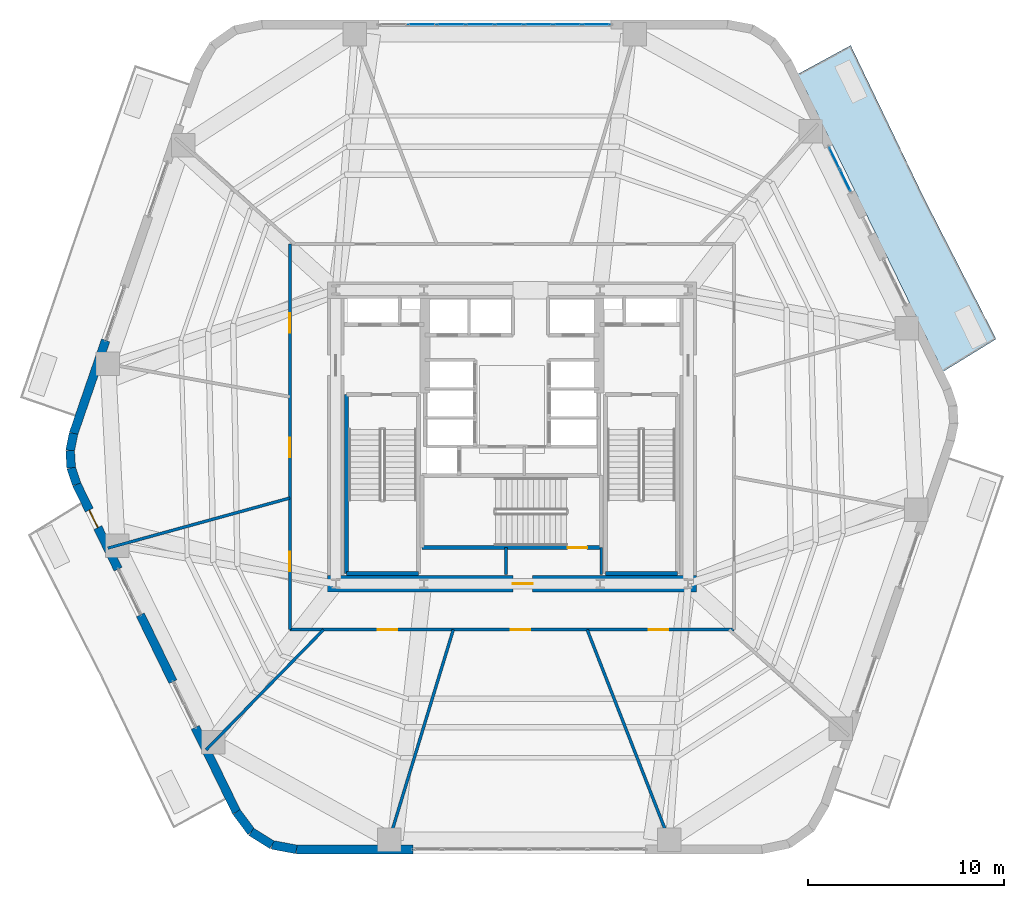
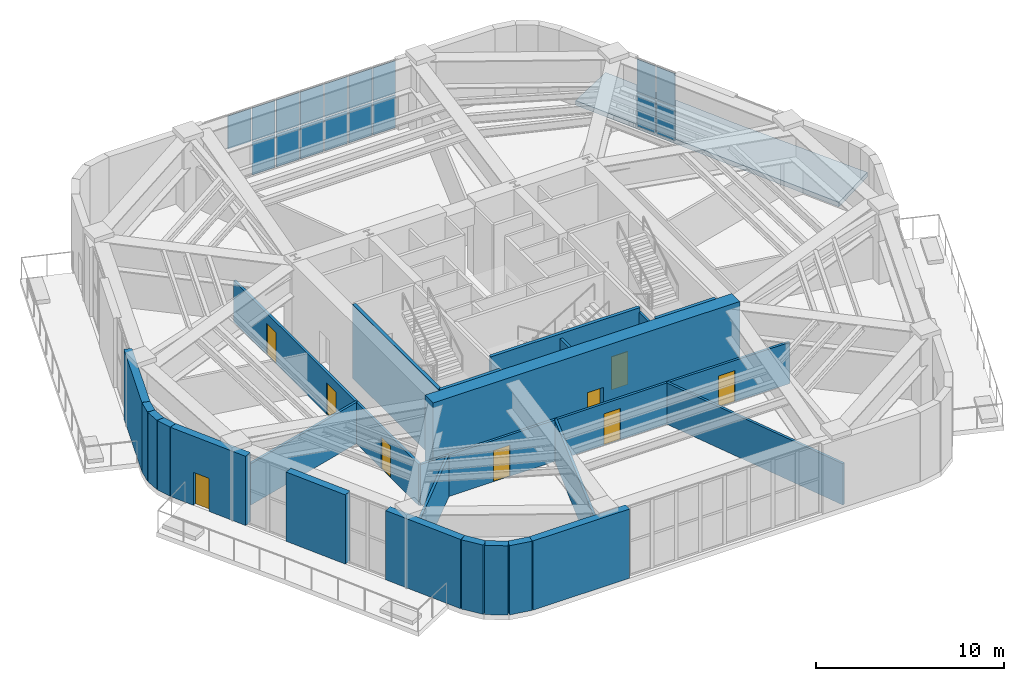
# One storey, part 16 of 22: 24 walls, 17 plates, 9 doors, 1 slab, 9 openings, 2 elements without a shape of their own.
"""IFC4 building model written with IfcOpenShell, lengths in metres."""

from ifc_helpers import new_model, si_unit, direction, frame, frame_2d, origin, origin_2d, place, context, subcontext, project, spatial, polyline, rectangle, outline, extrude, material, layer, layer_set, type_object, element, fill, aggregate, save


model = new_model("IFC4")

# Units and contexts
model_context = context("Model", 3, precision=1e-05, world=origin(), true_north=direction((0.0, 1.0)))
body_context = subcontext(model_context, "Body", "Model", "MODEL_VIEW")
ifc_project = project(units=[si_unit("LENGTHUNIT", "METRE"), si_unit("AREAUNIT", "SQUARE_METRE"), si_unit("VOLUMEUNIT", "CUBIC_METRE"), si_unit("PLANEANGLEUNIT", "RADIAN"), si_unit("MASSUNIT", "GRAM", prefix="KILO")], contexts=[model_context])

# Site, building, storey
site_placement = place(None, origin())
site = spatial("IfcSite", under=ifc_project, at=site_placement, CompositionType="ELEMENT")
building_placement = place(site_placement, origin())
building = spatial("IfcBuilding", under=site, at=building_placement, Name="Kilnhurst Terrace Hotel", CompositionType="ELEMENT")
storey_placement = place(building_placement, frame((0.0, 0.0, 139.5)))
storey = spatial("IfcBuildingStorey", under=building, at=storey_placement, Name="L34", CompositionType="ELEMENT", Elevation=139.5)

# Curtain wall, plates
ifc_material_1 = material(Name="Anodized Aluminium Alloy 6063-T6 and Low-E Glass", Category="aluminium")
ifc_layer_1 = layer(ifc_material_1, 0.219970703125, Name="Anodized Aluminium Alloy 6063-T6 and Low-E Glass")
ifc_layer_set_1 = layer_set([ifc_layer_1], Name="Anodized Aluminium Alloy 6063-T6 and Low-E Glass")
curtain_wall_type = type_object("IfcCurtainWallType", Name="CW-SKY-L34", PredefinedType="NOTDEFINED", material=ifc_layer_set_1)
curtain_wall_1_placement = place(storey_placement, origin())
curtain_wall_1 = element("IfcCurtainWall", 1, at=curtain_wall_1_placement, inside=storey, type_object=curtain_wall_type, Name="L34 Curtain Wall CW-L34-F3-2", PredefinedType="NOTDEFINED")
ifc_material_2 = material(Name="Triple Laminated Low-E Hurricane Insulated Glass", Category="glass")
ifc_layer_2 = layer(ifc_material_2, 0.035888671875, Name="Triple Laminated Low-E Hurricane Insulated Glass")
ifc_layer_set_2 = layer_set([ifc_layer_2], Name="Triple Laminated Low-E Hurricane Insulated Glass")
plate_type = type_object("IfcPlateType", Name="PNL-GLZ-36", PredefinedType="CURTAIN_PANEL", material=ifc_layer_set_2)
plate_1_placement = place(storey_placement, frame((17.029296875, 13.104736328125, 0.070068359375), z_axis=(0.0, 0.0, 1.0), x_axis=(-0.438362916395, 0.898798060484, 0.0)))
plate_1 = element("IfcPlate", 2, at=plate_1_placement, type_object=plate_type, Name="CWS-3 panel 1.1", PredefinedType="CURTAIN_PANEL", context=body_context, shape_type="SweptSolid", body=[
    extrude(rectangle(XDim=1.185546875, YDim=0.035888671875, at=origin_2d()), origin(), (0.0, 0.0, 1.0), 2.14501953125),
])
plate_2_placement = place(storey_placement, frame((17.029296875, 13.104736328125, 2.284912109375), z_axis=(0.0, 0.0, 1.0), x_axis=(-0.438362916395, 0.898798060484, 0.0)))
plate_2 = element("IfcPlate", 3, at=plate_2_placement, type_object=plate_type, Name="CWS-3 panel 1.2", PredefinedType="CURTAIN_PANEL", context=body_context, shape_type="SweptSolid", body=[
    extrude(rectangle(XDim=1.185546875, YDim=0.035888671875, at=origin_2d()), origin(), (0.0, 0.0, 1.0), 2.14501953125),
])
plate_3_placement = place(storey_placement, frame((16.476806640625, 14.237548828125, 0.070068359375), z_axis=(0.0, 0.0, 1.0), x_axis=(-0.438362916395, 0.898798060484, 0.0)))
plate_3 = element("IfcPlate", 4, at=plate_3_placement, type_object=plate_type, Name="CWS-3 panel 2.1", PredefinedType="CURTAIN_PANEL", context=body_context, shape_type="SweptSolid", body=[
    extrude(rectangle(XDim=1.185546875, YDim=0.035888671875, at=origin_2d()), origin(), (0.0, 0.0, 1.0), 2.14501953125),
])
plate_4_placement = place(storey_placement, frame((16.476806640625, 14.237548828125, 2.284912109375), z_axis=(0.0, 0.0, 1.0), x_axis=(-0.438362916395, 0.898798060484, 0.0)))
plate_4 = element("IfcPlate", 5, at=plate_4_placement, type_object=plate_type, Name="CWS-3 panel 2.2", PredefinedType="CURTAIN_PANEL", context=body_context, shape_type="SweptSolid", body=[
    extrude(rectangle(XDim=1.185546875, YDim=0.035888671875, at=origin_2d()), origin(), (0.0, 0.0, 1.0), 2.14501953125),
])
aggregate(curtain_wall_1, [plate_1, plate_2, plate_3, plate_4])

curtain_wall_2_placement = place(storey_placement, origin())
curtain_wall_2 = element("IfcCurtainWall", 6, at=curtain_wall_2_placement, inside=storey, type_object=curtain_wall_type, Name="L34 Curtain Wall CW-L34-F4-1", PredefinedType="NOTDEFINED")
plate_5_placement = place(storey_placement, frame((4.303955078125, 21.074951171875, 0.070068359375), z_axis=(0.0, 0.0, 1.0), x_axis=(-1.0, 0.0, 0.0)))
plate_5 = element("IfcPlate", 7, at=plate_5_placement, type_object=plate_type, Name="CWS-3 panel 1.1", PredefinedType="CURTAIN_PANEL", context=body_context, shape_type="SweptSolid", body=[
    extrude(rectangle(XDim=1.373779296875, YDim=0.035888671875, at=origin_2d()), origin(), (0.0, 0.0, 1.0), 2.14501953125),
])
plate_6_placement = place(storey_placement, frame((4.303955078125, 21.074951171875, 2.284912109375), z_axis=(0.0, 0.0, 1.0), x_axis=(-1.0, 0.0, 0.0)))
plate_6 = element("IfcPlate", 8, at=plate_6_placement, type_object=plate_type, Name="CWS-3 panel 1.2", PredefinedType="CURTAIN_PANEL", context=body_context, shape_type="SweptSolid", body=[
    extrude(rectangle(XDim=1.373779296875, YDim=0.035888671875, at=origin_2d()), origin(), (0.0, 0.0, 1.0), 2.14501953125),
])
plate_7_placement = place(storey_placement, frame((2.83642578125, 21.074951171875, 0.070068359375), z_axis=(0.0, 0.0, 1.0), x_axis=(-1.0, 0.0, 0.0)))
plate_7 = element("IfcPlate", 9, at=plate_7_placement, type_object=plate_type, Name="CWS-3 panel 2.1", PredefinedType="CURTAIN_PANEL", context=body_context, shape_type="SweptSolid", body=[
    extrude(rectangle(XDim=1.411376953125, YDim=0.035888671875, at=origin_2d()), origin(), (0.0, 0.0, 1.0), 2.14501953125),
])
plate_8_placement = place(storey_placement, frame((2.83642578125, 21.074951171875, 2.284912109375), z_axis=(0.0, 0.0, 1.0), x_axis=(-1.0, 0.0, 0.0)))
plate_8 = element("IfcPlate", 10, at=plate_8_placement, type_object=plate_type, Name="CWS-3 panel 2.2", PredefinedType="CURTAIN_PANEL", context=body_context, shape_type="SweptSolid", body=[
    extrude(rectangle(XDim=1.411376953125, YDim=0.035888671875, at=origin_2d()), origin(), (0.0, 0.0, 1.0), 2.14501953125),
])
plate_9_placement = place(storey_placement, frame((1.35009765625, 21.074951171875, 0.070068359375), z_axis=(0.0, 0.0, 1.0), x_axis=(-1.0, 0.0, 0.0)))
plate_9 = element("IfcPlate", 11, at=plate_9_placement, type_object=plate_type, Name="CWS-3 panel 3.1", PredefinedType="CURTAIN_PANEL", context=body_context, shape_type="SweptSolid", body=[
    extrude(rectangle(XDim=1.411376953125, YDim=0.035888671875, at=origin_2d()), origin(), (0.0, 0.0, 1.0), 2.14501953125),
])
plate_10_placement = place(storey_placement, frame((1.35009765625, 21.074951171875, 2.284912109375), z_axis=(0.0, 0.0, 1.0), x_axis=(-1.0, 0.0, 0.0)))
plate_10 = element("IfcPlate", 12, at=plate_10_placement, type_object=plate_type, Name="CWS-3 panel 3.2", PredefinedType="CURTAIN_PANEL", context=body_context, shape_type="SweptSolid", body=[
    extrude(rectangle(XDim=1.411376953125, YDim=0.035888671875, at=origin_2d()), origin(), (0.0, 0.0, 1.0), 2.14501953125),
])
plate_11_placement = place(storey_placement, frame((-0.13623046875, 21.074951171875, 0.070068359375), z_axis=(0.0, 0.0, 1.0), x_axis=(-1.0, 0.0, 0.0)))
plate_11 = element("IfcPlate", 13, at=plate_11_placement, type_object=plate_type, Name="CWS-3 panel 4.1", PredefinedType="CURTAIN_PANEL", context=body_context, shape_type="SweptSolid", body=[
    extrude(rectangle(XDim=1.411376953125, YDim=0.035888671875, at=origin_2d()), origin(), (0.0, 0.0, 1.0), 2.14501953125),
])
plate_12_placement = place(storey_placement, frame((-0.13623046875, 21.074951171875, 2.284912109375), z_axis=(0.0, 0.0, 1.0), x_axis=(-1.0, 0.0, 0.0)))
plate_12 = element("IfcPlate", 14, at=plate_12_placement, type_object=plate_type, Name="CWS-3 panel 4.2", PredefinedType="CURTAIN_PANEL", context=body_context, shape_type="SweptSolid", body=[
    extrude(rectangle(XDim=1.411376953125, YDim=0.035888671875, at=origin_2d()), origin(), (0.0, 0.0, 1.0), 2.14501953125),
])
plate_13_placement = place(storey_placement, frame((-1.622802734375, 21.074951171875, 0.070068359375), z_axis=(0.0, 0.0, 1.0), x_axis=(-1.0, 0.0, 0.0)))
plate_13 = element("IfcPlate", 15, at=plate_13_placement, type_object=plate_type, Name="CWS-3 panel 5.1", PredefinedType="CURTAIN_PANEL", context=body_context, shape_type="SweptSolid", body=[
    extrude(rectangle(XDim=1.411376953125, YDim=0.035888671875, at=origin_2d()), origin(), (0.0, 0.0, 1.0), 2.14501953125),
])
plate_14_placement = place(storey_placement, frame((-1.622802734375, 21.074951171875, 2.284912109375), z_axis=(0.0, 0.0, 1.0), x_axis=(-1.0, 0.0, 0.0)))
plate_14 = element("IfcPlate", 16, at=plate_14_placement, type_object=plate_type, Name="CWS-3 panel 5.2", PredefinedType="CURTAIN_PANEL", context=body_context, shape_type="SweptSolid", body=[
    extrude(rectangle(XDim=1.411376953125, YDim=0.035888671875, at=origin_2d()), origin(), (0.0, 0.0, 1.0), 2.14501953125),
])
plate_15_placement = place(storey_placement, frame((-3.109130859375, 21.074951171875, 0.070068359375), z_axis=(0.0, 0.0, 1.0), x_axis=(-1.0, 0.0, 0.0)))
plate_15 = element("IfcPlate", 17, at=plate_15_placement, type_object=plate_type, Name="CWS-3 panel 6.1", PredefinedType="CURTAIN_PANEL", context=body_context, shape_type="SweptSolid", body=[
    extrude(rectangle(XDim=1.411376953125, YDim=0.035888671875, at=origin_2d()), origin(), (0.0, 0.0, 1.0), 2.14501953125),
])
plate_16_placement = place(storey_placement, frame((-3.109130859375, 21.074951171875, 2.284912109375), z_axis=(0.0, 0.0, 1.0), x_axis=(-1.0, 0.0, 0.0)))
plate_16 = element("IfcPlate", 18, at=plate_16_placement, type_object=plate_type, Name="CWS-3 panel 6.2", PredefinedType="CURTAIN_PANEL", context=body_context, shape_type="SweptSolid", body=[
    extrude(rectangle(XDim=1.411376953125, YDim=0.035888671875, at=origin_2d()), origin(), (0.0, 0.0, 1.0), 2.14501953125),
])
plate_17_placement = place(storey_placement, frame((-4.595458984375, 21.074951171875, 2.284912109375), z_axis=(0.0, 0.0, 1.0), x_axis=(-1.0, 0.0, 0.0)))
plate_17 = element("IfcPlate", 19, at=plate_17_placement, type_object=plate_type, Name="CWS-3 panel 7.2", PredefinedType="CURTAIN_PANEL", context=body_context, shape_type="SweptSolid", body=[
    extrude(rectangle(XDim=1.411376953125, YDim=0.035888671875, at=origin_2d()), origin(), (0.0, 0.0, 1.0), 2.14501953125),
])
aggregate(curtain_wall_2, [plate_5, plate_6, plate_7, plate_8, plate_9, plate_10, plate_11, plate_12, plate_13, plate_14, plate_15, plate_16, plate_17])

# Slab
ifc_material_3 = material(Name="Concrete C50/60", Category="concrete")
ifc_layer_3 = layer(ifc_material_3, 0.300048828125, Name="Concrete C50/60")
ifc_layer_set_3 = layer_set([ifc_layer_3], Name="Concrete C50/60")
slab_type = type_object("IfcSlabType", Name="SLB-BAL-300", PredefinedType="FLOOR", material=ifc_layer_set_3)
slab_placement = place(storey_placement, frame((0.0, 0.0, -0.300048828125)))
element("IfcSlab", 20, at=slab_placement, inside=storey, type_object=slab_type, Name="L34 Cantilevered Planted Terrace Slab BAL-L1B", PredefinedType="FLOOR", context=body_context, shape_type="SweptSolid", body=[
    extrude(outline(polyline([(24.734130859375, 5.0), (22.023193359375, 3.333740234375), (14.6083984375, 18.53564453125), (17.301513671875, 20.0), (21.044921875, 12.205810546875), (24.734130859375, 5.0)])), origin(), (0.0, 0.0, 1.0), 0.300048828125),
])

# Walls
ifc_material_4 = material(Name="Precast concrete C40/50", Category="concrete")
ifc_layer_4 = layer(ifc_material_4, 0.449951171875, Name="Precast concrete C40/50")
ifc_layer_set_4 = layer_set([ifc_layer_4], Name="Precast concrete C40/50")
wall_type_1 = type_object("IfcWallType", Name="WL-BRK-450", PredefinedType="SOLIDWALL", material=ifc_layer_set_4)
wall_1_placement = place(storey_placement, frame((-14.07568359375, -19.16064453125, 0.0), z_axis=(0.0, 0.0, 1.0), x_axis=(0.597226657159, -0.802072515412, 0.0)))
element("IfcWall", 21, at=wall_1_placement, inside=storey, type_object=wall_type_1, Name="L34 Rounded Corner Brick Wall C1.1", PredefinedType="SOLIDWALL", context=body_context, shape_type="SweptSolid", body=[
    extrude(rectangle(XDim=1.269287109375, YDim=0.449951171875, at=frame_2d((0.634765625, 0.0))), origin(), (0.0, 0.0, 1.0), 4.5),
])
wall_2_placement = place(storey_placement, frame((-13.317626953125, -20.1787109375, 0.0), z_axis=(0.0, 0.0, 1.0), x_axis=(0.848031272749, -0.529946186362, 0.0)))
element("IfcWall", 22, at=wall_2_placement, inside=storey, type_object=wall_type_1, Name="L34 Rounded Corner Brick Wall C1.2", PredefinedType="SOLIDWALL", context=body_context, shape_type="SweptSolid", body=[
    extrude(rectangle(XDim=1.248046875, YDim=0.449951171875, at=frame_2d((0.6240234375, 0.0))), origin(), (0.0, 0.0, 1.0), 4.5),
])
wall_3_placement = place(storey_placement, frame((-12.25927734375, -20.840087890625, 0.0), z_axis=(0.0, 0.0, 1.0), x_axis=(0.982730354425, -0.185043374624, 0.0)))
element("IfcWall", 23, at=wall_3_placement, inside=storey, type_object=wall_type_1, Name="L34 Rounded Corner Brick Wall C1.3", PredefinedType="SOLIDWALL", context=body_context, shape_type="SweptSolid", body=[
    extrude(rectangle(XDim=1.269287109375, YDim=0.449951171875, at=frame_2d((0.634765625, 0.0))), origin(), (0.0, 0.0, 1.0), 4.5),
])
wall_4_placement = place(storey_placement, frame((-22.39697265625, 0.17919921875, 0.0), z_axis=(0.0, 0.0, 1.0), x_axis=(-0.199313589404, -0.979935759669, 0.0)))
element("IfcWall", 24, at=wall_4_placement, inside=storey, type_object=wall_type_1, Name="L34 Rounded Corner Brick Wall C6.1", PredefinedType="SOLIDWALL", context=body_context, shape_type="SweptSolid", body=[
    extrude(rectangle(XDim=0.8955078125, YDim=0.449951171875, at=frame_2d((0.44775390625, 0.0))), origin(), (0.0, 0.0, 1.0), 4.5),
])
wall_5_placement = place(storey_placement, frame((-22.575439453125, -0.6982421875, 0.0), z_axis=(0.0, 0.0, 1.0), x_axis=(0.060980441946, -0.998138961117, 0.0)))
element("IfcWall", 25, at=wall_5_placement, inside=storey, type_object=wall_type_1, Name="L34 Rounded Corner Brick Wall C6.2", PredefinedType="SOLIDWALL", context=body_context, shape_type="SweptSolid", body=[
    extrude(rectangle(XDim=0.880859375, YDim=0.449951171875, at=frame_2d((0.4404296875, 0.0))), origin(), (0.0, 0.0, 1.0), 4.5),
])
wall_6_placement = place(storey_placement, frame((-22.521728515625, -1.577392578125, 0.0), z_axis=(0.0, 0.0, 1.0), x_axis=(0.317372694837, -0.948300887151, 0.0)))
element("IfcWall", 26, at=wall_6_placement, inside=storey, type_object=wall_type_1, Name="L34 Rounded Corner Brick Wall C6.3", PredefinedType="SOLIDWALL", context=body_context, shape_type="SweptSolid", body=[
    extrude(rectangle(XDim=0.8955078125, YDim=0.449951171875, at=frame_2d((0.44775390625, 0.0))), origin(), (0.0, 0.0, 1.0), 4.5),
])
wall_7_placement = place(storey_placement, frame((-11.011962890625, -21.074951171875, 0.0), z_axis=(0.0, 0.0, 1.0), x_axis=(1.0, 0.0, 0.0)))
element("IfcWall", 27, at=wall_7_placement, inside=storey, type_object=wall_type_1, Name="L34 Face 1 Brick Pier 1", PredefinedType="SOLIDWALL", context=body_context, shape_type="SweptSolid", body=[
    extrude(rectangle(XDim=5.946044921875, YDim=0.449951171875, at=frame_2d((2.97314453125, 0.0))), origin(), (0.0, 0.0, 1.0), 4.5),
])
wall_8_placement = place(storey_placement, frame((-20.760009765625, 4.932861328125, 0.0), z_axis=(0.0, 0.0, 1.0), x_axis=(-0.325594073587, -0.94550965053, 0.0)))
element("IfcWall", 28, at=wall_8_placement, inside=storey, type_object=wall_type_1, Name="L34 Face 5 End Brick Pier", PredefinedType="SOLIDWALL", context=body_context, shape_type="SweptSolid", body=[
    extrude(rectangle(XDim=5.027587890625, YDim=0.449951171875, at=frame_2d((2.513671875, 0.0))), origin(), (0.0, 0.0, 1.0), 4.5),
])

# Wall, opening, door
wall_9_placement = place(storey_placement, frame((-22.237548828125, -2.426513671875, 0.0), z_axis=(0.0, 0.0, 1.0), x_axis=(0.438370693728, -0.898794267272, 0.0)))
wall_9 = element("IfcWall", 29, at=wall_9_placement, inside=storey, type_object=wall_type_1, Name="L34 Face 6 Brick Pier 1", PredefinedType="SOLIDWALL", context=body_context, shape_type="SweptSolid", body=[
    extrude(rectangle(XDim=4.815673828125, YDim=0.449951171875, at=frame_2d((2.40771484375, 0.0))), origin(), (0.0, 0.0, 1.0), 4.5),
])
opening_1_placement = place(wall_9_placement, frame((1.4580078125, 0.0, 0.0)))
opening_1 = element("IfcOpeningElement", 30, at=opening_1_placement, cuts=wall_9, Name="Opening BD-1000", PredefinedType="OPENING", context=body_context, shape_type="SweptSolid", body=[
    extrude(rectangle(XDim=1.0, YDim=2.14990234375, at=frame_2d((0.5, 1.074951171875))), frame((0.0, 0.23486328125, 0.0), z_axis=(0.0, -1.0, 0.0), x_axis=(1.0, 0.0, 0.0)), (0.0, 0.0, 1.0), 0.469970703125),
])
ifc_material_5 = material(Name="Thermally Broken Bronze Aluminium Alloy 6063-T6 and Laminated Glass", Category="aluminium")
door_type_1 = type_object("IfcDoorType", Name="DR-EXT-BAL-1000", OperationType="NOTDEFINED", PredefinedType="DOOR", material=ifc_material_5)
door_1_placement = place(opening_1_placement, origin())
door_1 = element("IfcDoor", 31, at=door_1_placement, inside=storey, type_object=door_type_1, Name="L34 Terrace Access Door BAL-L2B", OperationType="SINGLE_SWING_LEFT", OverallHeight=2.14990234375, OverallWidth=1.0, PredefinedType="DOOR", context=body_context, shape_type="SweptSolid", body=[
    extrude(rectangle(XDim=1.0, YDim=2.14990234375, at=frame_2d((0.5, 1.074951171875))), frame((0.0, 0.02490234375, 0.0), z_axis=(0.0, -1.0, 0.0), x_axis=(1.0, 0.0, 0.0)), (0.0, 0.0, 1.0), 0.050048828125),
])
fill(opening_1, door_1)

# Walls
wall_10_placement = place(storey_placement, frame((-18.98828125, -9.088134765625, 0.0), z_axis=(0.0, 0.0, 1.0), x_axis=(0.43837933929, -0.898790050503, 0.0)))
element("IfcWall", 32, at=wall_10_placement, inside=storey, type_object=wall_type_1, Name="L34 Face 6 Brick Pier 2", PredefinedType="SOLIDWALL", context=body_context, shape_type="SweptSolid", body=[
    extrude(rectangle(XDim=3.801025390625, YDim=0.449951171875, at=frame_2d((1.900390625, 0.0))), origin(), (0.0, 0.0, 1.0), 4.5),
])
wall_11_placement = place(storey_placement, frame((-16.18408203125, -14.837890625, 0.0), z_axis=(0.0, 0.0, 1.0), x_axis=(0.43837962648, -0.898789910428, 0.0)))
element("IfcWall", 33, at=wall_11_placement, inside=storey, type_object=wall_type_1, Name="L34 Face 6 End Brick Pier", PredefinedType="SOLIDWALL", context=body_context, shape_type="SweptSolid", body=[
    extrude(rectangle(XDim=4.8095703125, YDim=0.449951171875, at=frame_2d((2.40478515625, 0.0))), origin(), (0.0, 0.0, 1.0), 4.5),
])

# Wall, openings, doors
ifc_material_6 = material(Name="Acoustic Double-Gypsum Corridor Partition Assembly")
ifc_layer_5 = layer(ifc_material_6, 0.14990234375, Name="Acoustic Double-Gypsum Corridor Partition Assembly")
ifc_layer_set_5 = layer_set([ifc_layer_5], Name="Acoustic Double-Gypsum Corridor Partition Assembly")
wall_type_2 = type_object("IfcWallType", Name="WL-COR-150", PredefinedType="PARTITIONING", material=ifc_layer_set_5)
wall_12_placement = place(storey_placement, frame((-11.35009765625, -9.85009765625, 0.0), z_axis=(0.0, 0.0, 1.0), x_axis=(0.0, 1.0, 0.0)))
wall_12 = element("IfcWall", 34, at=wall_12_placement, inside=storey, type_object=wall_type_2, Name="L34 Interior Wall WL-L34-COR-01", PredefinedType="PARTITIONING", context=body_context, shape_type="SweptSolid", body=[
    extrude(rectangle(XDim=19.7001953125, YDim=0.14990234375, at=frame_2d((9.85009765625, 0.0))), origin(), (0.0, 0.0, 1.0), 2.68994140625),
])
opening_2_placement = place(wall_12_placement, frame((15.179931640625, 0.0, 0.0)))
opening_2 = element("IfcOpeningElement", 35, at=opening_2_placement, cuts=wall_12, Name="Opening D-10A", PredefinedType="OPENING", context=body_context, shape_type="SweptSolid", body=[
    extrude(rectangle(XDim=1.0, YDim=2.030029296875, at=frame_2d((0.5, 1.01513671875))), frame((0.0, 0.0849609375, 0.0), z_axis=(0.0, -1.0, 0.0), x_axis=(1.0, 0.0, 0.0)), (0.0, 0.0, 1.0), 0.169921875),
])
opening_3_placement = place(wall_12_placement, frame((8.81103515625, 0.0, 0.0)))
opening_3 = element("IfcOpeningElement", 36, at=opening_3_placement, cuts=wall_12, Name="Opening D-10A", PredefinedType="OPENING", context=body_context, shape_type="SweptSolid", body=[
    extrude(rectangle(XDim=1.0, YDim=2.030029296875, at=frame_2d((0.5, 1.01513671875))), frame((0.0, 0.0849609375, 0.0), z_axis=(0.0, -1.0, 0.0), x_axis=(1.0, 0.0, 0.0)), (0.0, 0.0, 1.0), 0.169921875),
])
opening_4_placement = place(wall_12_placement, frame((2.98291015625, 0.0, 0.0)))
opening_4 = element("IfcOpeningElement", 37, at=opening_4_placement, cuts=wall_12, Name="Opening D-10A", PredefinedType="OPENING", context=body_context, shape_type="SweptSolid", body=[
    extrude(rectangle(XDim=1.0, YDim=2.030029296875, at=frame_2d((0.5, 1.01513671875))), frame((0.0, 0.0849609375, 0.0), z_axis=(0.0, -1.0, 0.0), x_axis=(1.0, 0.0, 0.0)), (0.0, 0.0, 1.0), 0.169921875),
])
ifc_material_7 = material(Name="Solid-Core American White Oak Interior Door")
door_type_2 = type_object("IfcDoorType", Name="DR-INT-1000", OperationType="NOTDEFINED", PredefinedType="DOOR", material=ifc_material_7)
door_2_placement = place(opening_2_placement, origin())
door_2 = element("IfcDoor", 38, at=door_2_placement, inside=storey, type_object=door_type_2, Name="L34 Panorama Sky Cocktail Bar West Wing Door", OperationType="SINGLE_SWING_LEFT", OverallHeight=2.030029296875, OverallWidth=1.0, PredefinedType="DOOR", context=body_context, shape_type="SweptSolid", body=[
    extrude(rectangle(XDim=1.0, YDim=2.030029296875, at=frame_2d((0.5, 1.01513671875))), frame((0.0, 0.02490234375, 0.0), z_axis=(0.0, -1.0, 0.0), x_axis=(1.0, 0.0, 0.0)), (0.0, 0.0, 1.0), 0.050048828125),
])
fill(opening_2, door_2)
door_3_placement = place(opening_3_placement, origin())
door_3 = element("IfcDoor", 39, at=door_3_placement, inside=storey, type_object=door_type_2, Name="L34 Panorama Sky Cocktail Bar Center Wing Door", OperationType="SINGLE_SWING_RIGHT", OverallHeight=2.030029296875, OverallWidth=1.0, PredefinedType="DOOR", context=body_context, shape_type="SweptSolid", body=[
    extrude(rectangle(XDim=1.0, YDim=2.030029296875, at=frame_2d((0.5, 1.01513671875))), frame((0.0, 0.02490234375, 0.0), z_axis=(0.0, -1.0, 0.0), x_axis=(1.0, 0.0, 0.0)), (0.0, 0.0, 1.0), 0.050048828125),
])
fill(opening_3, door_3)
door_4_placement = place(opening_4_placement, origin())
door_4 = element("IfcDoor", 40, at=door_4_placement, inside=storey, type_object=door_type_2, Name="L34 Sky Bar Catering Kitchen West Wing Door", OperationType="SINGLE_SWING_LEFT", OverallHeight=2.030029296875, OverallWidth=1.0, PredefinedType="DOOR", context=body_context, shape_type="SweptSolid", body=[
    extrude(rectangle(XDim=1.0, YDim=2.030029296875, at=frame_2d((0.5, 1.01513671875))), frame((0.0, 0.02490234375, 0.0), z_axis=(0.0, -1.0, 0.0), x_axis=(1.0, 0.0, 0.0)), (0.0, 0.0, 1.0), 0.050048828125),
])
fill(opening_4, door_4)

wall_13_placement = place(storey_placement, frame((11.35009765625, -9.85009765625, 0.0), z_axis=(0.0, 0.0, 1.0), x_axis=(-1.0, 0.0, 0.0)))
wall_13 = element("IfcWall", 41, at=wall_13_placement, inside=storey, type_object=wall_type_2, Name="L34 Interior Wall WL-L34-COR-04", PredefinedType="PARTITIONING", context=body_context, shape_type="SweptSolid", body=[
    extrude(rectangle(XDim=22.7001953125, YDim=0.14990234375, at=frame_2d((11.35009765625, 0.0))), origin(), (0.0, 0.0, 1.0), 2.68994140625),
])
opening_5_placement = place(wall_13_placement, frame((17.2119140625, 0.0, 0.0)))
opening_5 = element("IfcOpeningElement", 42, at=opening_5_placement, cuts=wall_13, Name="Opening D-10A", PredefinedType="OPENING", context=body_context, shape_type="SweptSolid", body=[
    extrude(rectangle(XDim=1.0, YDim=2.030029296875, at=frame_2d((0.5, 1.01513671875))), frame((0.0, 0.0849609375, 0.0), z_axis=(0.0, -1.0, 0.0), x_axis=(1.0, 0.0, 0.0)), (0.0, 0.0, 1.0), 0.169921875),
])
opening_6_placement = place(wall_13_placement, frame((10.425048828125, 0.0, 0.0)))
opening_6 = element("IfcOpeningElement", 43, at=opening_6_placement, cuts=wall_13, Name="Opening D-10A", PredefinedType="OPENING", context=body_context, shape_type="SweptSolid", body=[
    extrude(rectangle(XDim=1.0, YDim=2.030029296875, at=frame_2d((0.5, 1.01513671875))), frame((0.0, 0.0849609375, 0.0), z_axis=(0.0, -1.0, 0.0), x_axis=(1.0, 0.0, 0.0)), (0.0, 0.0, 1.0), 0.169921875),
])
opening_7_placement = place(wall_13_placement, frame((3.3740234375, 0.0, 0.0)))
opening_7 = element("IfcOpeningElement", 44, at=opening_7_placement, cuts=wall_13, Name="Opening D-10A", PredefinedType="OPENING", context=body_context, shape_type="SweptSolid", body=[
    extrude(rectangle(XDim=1.0, YDim=2.030029296875, at=frame_2d((0.5, 1.01513671875))), frame((0.0, 0.0849609375, 0.0), z_axis=(0.0, -1.0, 0.0), x_axis=(1.0, 0.0, 0.0)), (0.0, 0.0, 1.0), 0.169921875),
])
door_5_placement = place(opening_5_placement, origin())
door_5 = element("IfcDoor", 45, at=door_5_placement, inside=storey, type_object=door_type_2, Name="L34 Sky Bar Catering Kitchen Center Wing Door", OperationType="SINGLE_SWING_RIGHT", OverallHeight=2.030029296875, OverallWidth=1.0, PredefinedType="DOOR", context=body_context, shape_type="SweptSolid", body=[
    extrude(rectangle(XDim=1.0, YDim=2.030029296875, at=frame_2d((0.5, 1.01513671875))), frame((0.0, 0.02490234375, 0.0), z_axis=(0.0, -1.0, 0.0), x_axis=(1.0, 0.0, 0.0)), (0.0, 0.0, 1.0), 0.050048828125),
])
fill(opening_5, door_5)
door_6_placement = place(opening_6_placement, origin())
door_6 = element("IfcDoor", 46, at=door_6_placement, inside=storey, type_object=door_type_2, Name="L34 VIP Sky Boardroom Suite West Wing Door", OperationType="SINGLE_SWING_LEFT", OverallHeight=2.030029296875, OverallWidth=1.0, PredefinedType="DOOR", context=body_context, shape_type="SweptSolid", body=[
    extrude(rectangle(XDim=1.0, YDim=2.030029296875, at=frame_2d((0.5, 1.01513671875))), frame((0.0, 0.02490234375, 0.0), z_axis=(0.0, -1.0, 0.0), x_axis=(1.0, 0.0, 0.0)), (0.0, 0.0, 1.0), 0.050048828125),
])
fill(opening_6, door_6)
door_7_placement = place(opening_7_placement, origin())
door_7 = element("IfcDoor", 47, at=door_7_placement, inside=storey, type_object=door_type_2, Name="L34 VIP Sky Boardroom Suite Center Wing Door", OperationType="SINGLE_SWING_RIGHT", OverallHeight=2.030029296875, OverallWidth=1.0, PredefinedType="DOOR", context=body_context, shape_type="SweptSolid", body=[
    extrude(rectangle(XDim=1.0, YDim=2.030029296875, at=frame_2d((0.5, 1.01513671875))), frame((0.0, 0.02490234375, 0.0), z_axis=(0.0, -1.0, 0.0), x_axis=(1.0, 0.0, 0.0)), (0.0, 0.0, 1.0), 0.050048828125),
])
fill(opening_7, door_7)

# Wall, opening, door
ifc_material_8 = material(Name="Concrete C80/95", Category="concrete")
ifc_layer_6 = layer(ifc_material_8, 0.85009765625, Name="Concrete C80/95")
ifc_layer_set_6 = layer_set([ifc_layer_6], Name="Concrete C80/95")
wall_type_3 = type_object("IfcWallType", Name="WL-CORE-850", PredefinedType="SHEAR", material=ifc_layer_set_6)
wall_14_placement = place(storey_placement, frame((-9.425048828125, -7.5, 0.0), z_axis=(0.0, 0.0, 1.0), x_axis=(1.0, 0.0, 0.0)))
wall_14 = element("IfcWall", 48, at=wall_14_placement, inside=storey, type_object=wall_type_3, Name="L34 Core South Shear Wall", PredefinedType="SHEAR", context=body_context, shape_type="SweptSolid", body=[
    extrude(rectangle(XDim=18.85009765625, YDim=0.85009765625, at=frame_2d((9.425048828125, 0.0))), origin(), (0.0, 0.0, 1.0), 4.800048828125),
])
opening_8_placement = place(wall_14_placement, frame((9.47509765625, 0.0, 0.0)))
opening_8 = element("IfcOpeningElement", 49, at=opening_8_placement, cuts=wall_14, Name="Opening D-90B", PredefinedType="OPENING", context=body_context, shape_type="SweptSolid", body=[
    extrude(rectangle(XDim=1.0, YDim=2.14990234375, at=frame_2d((0.5, 1.074951171875))), frame((0.0, 0.43505859375, 0.0), z_axis=(0.0, -1.0, 0.0), x_axis=(1.0, 0.0, 0.0)), (0.0, 0.0, 1.0), 0.8701171875),
])
ifc_material_9 = material(Name="Painted Hollow Metal Steel ASTM A36 Fire Door", Category="steel")
door_type_3 = type_object("IfcDoorType", Name="DR-FD90-1000", OperationType="NOTDEFINED", PredefinedType="DOOR", material=ifc_material_9)
door_8_placement = place(opening_8_placement, origin())
door_8 = element("IfcDoor", 50, at=door_8_placement, inside=storey, type_object=door_type_3, Name="L34 Stair ST-3 Corridor Door", OperationType="SINGLE_SWING_RIGHT", OverallHeight=2.14990234375, OverallWidth=1.0, PredefinedType="DOOR", context=body_context, shape_type="SweptSolid", body=[
    extrude(rectangle(XDim=1.0, YDim=2.14990234375, at=frame_2d((0.5, 1.074951171875))), frame((0.0, 0.02490234375, 0.0), z_axis=(0.0, -1.0, 0.0), x_axis=(1.0, 0.0, 0.0)), (0.0, 0.0, 1.0), 0.050048828125),
])
fill(opening_8, door_8)

# Walls
ifc_material_10 = material(Name="150 mm Acoustic Gypsum Hospitality Partition")
ifc_layer_7 = layer(ifc_material_10, 0.14990234375, Name="150 mm Acoustic Gypsum Hospitality Partition")
ifc_layer_set_7 = layer_set([ifc_layer_7], Name="150 mm Acoustic Gypsum Hospitality Partition")
wall_type_4 = type_object("IfcWallType", Name="WL-PART-150", PredefinedType="PARTITIONING", material=ifc_layer_set_7)
wall_15_placement = place(storey_placement, frame((-11.35009765625, -3.123291015625, 0.0), z_axis=(0.0, 0.0, 1.0), x_axis=(-0.964151983214, -0.265350623261, 0.0)))
element("IfcWall", 51, at=wall_15_placement, inside=storey, type_object=wall_type_4, Name="L34 Interior Wall WL-L34-SCOL-07-1", PredefinedType="PARTITIONING", context=body_context, shape_type="SweptSolid", body=[
    extrude(rectangle(XDim=9.64501953125, YDim=0.14990234375, at=frame_2d((4.822509765625, 0.0))), origin(), (0.0, 0.0, 1.0), 2.68994140625),
])
wall_16_placement = place(storey_placement, frame((-9.6279296875, -9.85009765625, 0.0), z_axis=(0.0, 0.0, 1.0), x_axis=(-0.698992824326, -0.715128681805, 0.0)))
element("IfcWall", 52, at=wall_16_placement, inside=storey, type_object=wall_type_4, Name="L34 Interior Wall WL-L34-SCOL-08-1", PredefinedType="PARTITIONING", context=body_context, shape_type="SweptSolid", body=[
    extrude(rectangle(XDim=8.578857421875, YDim=0.14990234375, at=frame_2d((4.28955078125, 0.0))), origin(), (0.0, 0.0, 1.0), 2.68994140625),
])
wall_17_placement = place(storey_placement, frame((-3.0, -9.85009765625, 0.0), z_axis=(0.0, 0.0, 1.0), x_axis=(-0.291352035382, -0.95661590593, 0.0)))
element("IfcWall", 53, at=wall_17_placement, inside=storey, type_object=wall_type_4, Name="L34 Interior Wall WL-L34-SCOL-09-1", PredefinedType="PARTITIONING", context=body_context, shape_type="SweptSolid", body=[
    extrude(rectangle(XDim=11.73388671875, YDim=0.14990234375, at=frame_2d((5.866943359375, 0.0))), origin(), (0.0, 0.0, 1.0), 2.68994140625),
])
wall_18_placement = place(storey_placement, frame((3.84228515625, -9.85009765625, 0.0), z_axis=(0.0, 0.0, 1.0), x_axis=(0.363432685593, -0.931620460833, 0.0)))
element("IfcWall", 54, at=wall_18_placement, inside=storey, type_object=wall_type_4, Name="L34 Interior Wall WL-L34-SCOL-10-1", PredefinedType="PARTITIONING", context=body_context, shape_type="SweptSolid", body=[
    extrude(rectangle(XDim=12.048828125, YDim=0.14990234375, at=frame_2d((6.0244140625, 0.0))), origin(), (0.0, 0.0, 1.0), 2.68994140625),
])
ifc_material_11 = material(Name="Fire-Rated Gypsum Shaftliner Assembly")
ifc_layer_8 = layer(ifc_material_11, 0.14990234375, Name="Fire-Rated Gypsum Shaftliner Assembly")
ifc_layer_set_8 = layer_set([ifc_layer_8], Name="Fire-Rated Gypsum Shaftliner Assembly")
wall_type_5 = type_object("IfcWallType", Name="WL-SHAFT-150", PredefinedType="PARTITIONING", material=ifc_layer_set_8)
for number, where, z_axis, x_axis, name in (
    (55, (-0.300048828125, -7.02001953125, 0.0), (0.0, 0.0, 1.0), (0.0, 1.0, 0.0), "L34 Interior Wall WL-L34-ST3-PSGW"),
    (56, (4.55810546875, -7.02001953125, 0.0), (0.0, 0.0, 1.0), (0.0, 1.0, 0.0), "L34 Interior Wall WL-L34-ST3-PSGE"),
):
    element("IfcWall", number, at=place(storey_placement, frame(where, z_axis=z_axis, x_axis=x_axis)), inside=storey, type_object=wall_type_5, Name=name, PredefinedType="PARTITIONING", context=body_context, shape_type="SweptSolid", body=[
        extrude(rectangle(XDim=1.362060546875, YDim=0.14990234375, at=frame_2d((0.68115234375, 0.0))), origin(), (0.0, 0.0, 1.0), 4.5),
    ])
ifc_layer_9 = layer(ifc_material_3, 0.199951171875, Name="Concrete C50/60")
ifc_layer_set_9 = layer_set([ifc_layer_9], Name="Concrete C50/60")
wall_type_6 = type_object("IfcWallType", Name="WL-STAIR-RC-200", PredefinedType="SHEAR", material=ifc_layer_set_9)
wall_19_placement = place(storey_placement, frame((-8.4580078125, -6.985107421875, 0.0), z_axis=(0.0, 0.0, 1.0), x_axis=(0.0, 1.0, 0.0)))
element("IfcWall", 57, at=wall_19_placement, inside=storey, type_object=wall_type_6, Name="L34 Structural Stair Shaft Wall WL-L34-ST1-W", PredefinedType="SHEAR", context=body_context, shape_type="SweptSolid", body=[
    extrude(rectangle(XDim=9.14306640625, YDim=0.199951171875, at=frame_2d((4.571533203125, 0.0))), origin(), (0.0, 0.0, 1.0), 4.800048828125),
])
for number, where, z_axis, x_axis, name in (
    (58, (-8.4580078125, -6.985107421875, 0.0), (0.0, 0.0, 1.0), (1.0, 0.0, 0.0), "L34 Structural Stair Shaft Wall WL-L34-ST1-S"),
    (59, (4.77197265625, -6.985107421875, 0.0), (0.0, 0.0, 1.0), (1.0, 0.0, 0.0), "L34 Structural Stair Shaft Wall WL-L34-ST2-S"),
):
    element("IfcWall", number, at=place(storey_placement, frame(where, z_axis=z_axis, x_axis=x_axis)), inside=storey, type_object=wall_type_6, Name=name, PredefinedType="SHEAR", context=body_context, shape_type="SweptSolid", body=[
        extrude(rectangle(XDim=3.68603515625, YDim=0.199951171875, at=frame_2d((1.843017578125, 0.0))), origin(), (0.0, 0.0, 1.0), 4.800048828125),
    ])

# Wall, opening, door
wall_20_placement = place(storey_placement, frame((-4.60791015625, -5.657958984375, 0.0), z_axis=(0.0, 0.0, 1.0), x_axis=(1.0, 0.0, 0.0)))
wall_20 = element("IfcWall", 60, at=wall_20_placement, inside=storey, type_object=wall_type_6, Name="L34 Structural Stair Shaft Wall WL-L34-ST3-S", PredefinedType="SHEAR", context=body_context, shape_type="SweptSolid", body=[
    extrude(rectangle(XDim=9.166015625, YDim=0.199951171875, at=frame_2d((4.5830078125, 0.0))), origin(), (0.0, 0.0, 1.0), 4.800048828125),
])
opening_9_placement = place(wall_20_placement, frame((7.449951171875, 0.0, 0.0)))
opening_9 = element("IfcOpeningElement", 61, at=opening_9_placement, cuts=wall_20, Name="Opening D-90B", PredefinedType="OPENING", context=body_context, shape_type="SweptSolid", body=[
    extrude(rectangle(XDim=1.0, YDim=2.14990234375, at=frame_2d((0.5, 1.074951171875))), frame((0.0, 0.10986328125, 0.0), z_axis=(0.0, -1.0, 0.0), x_axis=(1.0, 0.0, 0.0)), (0.0, 0.0, 1.0), 0.219970703125),
])
door_9_placement = place(opening_9_placement, origin())
door_9 = element("IfcDoor", 62, at=door_9_placement, inside=storey, type_object=door_type_3, Name="L34 Stair ST-3 Shaft Door", OperationType="SINGLE_SWING_LEFT", OverallHeight=2.14990234375, OverallWidth=1.0, PredefinedType="DOOR", context=body_context, shape_type="SweptSolid", body=[
    extrude(rectangle(XDim=1.0, YDim=2.14990234375, at=frame_2d((0.5, 1.074951171875))), frame((0.0, 0.02490234375, 0.0), z_axis=(0.0, -1.0, 0.0), x_axis=(1.0, 0.0, 0.0)), (0.0, 0.0, 1.0), 0.050048828125),
])
fill(opening_9, door_9)

save(model, "model.ifc")
